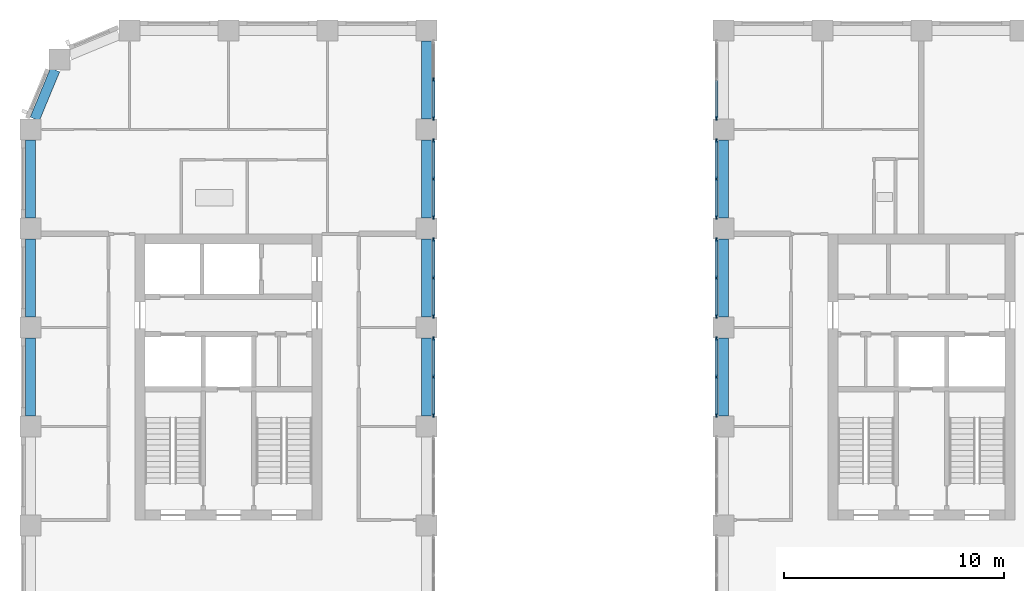
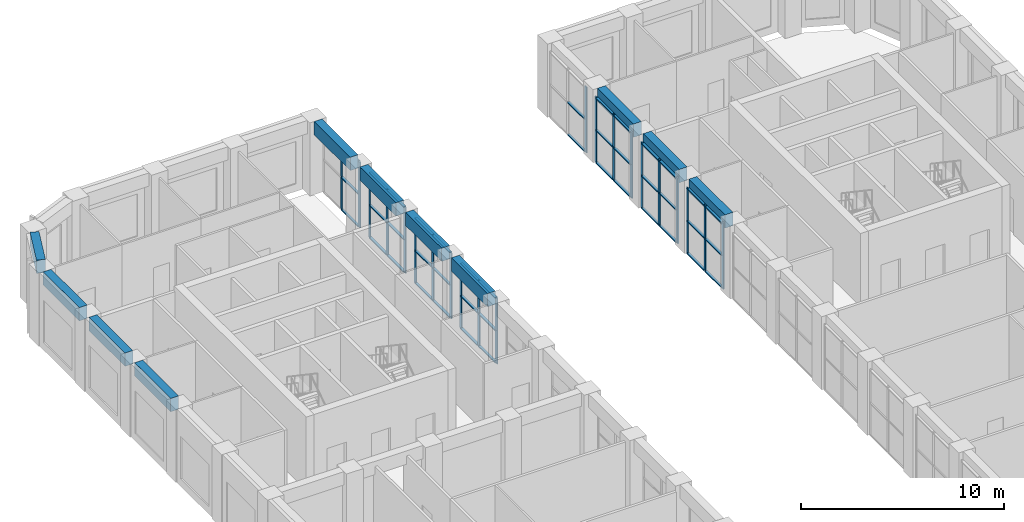
# One storey, part 5 of 19: 62 members, 11 beams, 8 elements without a shape of their own.
"""IFC4 building model written with IfcOpenShell, lengths in metres."""

import ifcopenshell
import ifcopenshell.guid

model = None  # the IFC model being written
_history = None  # IfcOwnerHistory: only IFC2X3 demands one
_inside = {}  # id of a spatial element -> (the spatial element, [elements in it])
_under = {}  # id of a project, library or spatial element -> (it, [spatial elements below it])
_declared = {}  # id of a project -> (the project, [libraries it declares])
_typed = {}  # id of a type object -> (the type object, [elements of that type])
_made_of = {}  # id of a material, layer set ... -> (it, [elements and type objects made of it])


def new_model(schema):
    """Start an empty IFC model of exactly this schema.

    Asked for "IFC4X3", IfcOpenShell would pick the latest addendum, in which some entities
    have other attributes; the version numbers below select the first issue.
    IFC2X3 requires an IfcOwnerHistory on every rooted entity: one is made here for all.
    """
    global model, _history
    if schema == "IFC4X3":
        model = ifcopenshell.file(schema_version=(4, 3, 0, 0))
    else:
        model = ifcopenshell.file(schema=schema)
    _inside.clear()
    _under.clear()
    _declared.clear()
    _typed.clear()
    _made_of.clear()
    _history = None
    if model.schema == "IFC2X3":
        org = make("IfcOrganization", Name="unknown")
        user = make(
            "IfcPersonAndOrganization",
            ThePerson=make("IfcPerson", FamilyName="unknown"),
            TheOrganization=org,
        )
        app = make(
            "IfcApplication",
            ApplicationDeveloper=org,
            Version="unknown",
            ApplicationFullName="unknown",
            ApplicationIdentifier="unknown",
        )
        _history = make(
            "IfcOwnerHistory",
            OwningUser=user,
            OwningApplication=app,
            ChangeAction="ADDED",
            CreationDate=0,
        )
    return model


def make(cls, **values):
    """One entity of the class cls with the attributes given. An attribute that is None is left unset."""
    return model.create_entity(
        cls, **{name: value for name, value in values.items() if value is not None}
    )


def rooted(cls, **values):
    """An entity with a GlobalId (a new one), such as an element, a storey or a relation."""
    return make(cls, GlobalId=ifcopenshell.guid.new(), OwnerHistory=_history, **values)


def si_unit(unit_type, name, prefix=None):
    """IfcSIUnit, for example si_unit("LENGTHUNIT", "METRE", prefix="MILLI")."""
    return make("IfcSIUnit", UnitType=unit_type, Prefix=prefix, Name=name)


def assignment(units):
    """IfcUnitAssignment: the units of a project."""
    return None if units is None else make("IfcUnitAssignment", Units=units)


def point(xyz):
    """IfcCartesianPoint."""
    return None if xyz is None else make("IfcCartesianPoint", Coordinates=xyz)


def direction(xyz):
    """IfcDirection."""
    return None if xyz is None else make("IfcDirection", DirectionRatios=xyz)


def frame(location, z_axis=None, x_axis=None):
    """IfcAxis2Placement3D, a coordinate frame: its origin and axes. An axis left out is left unset."""
    return make(
        "IfcAxis2Placement3D",
        Location=point(location),
        Axis=direction(z_axis),
        RefDirection=direction(x_axis),
    )


def frame_2d(location, x_axis=None):
    """IfcAxis2Placement2D, a coordinate frame in the plane: its origin and x axis."""
    return make(
        "IfcAxis2Placement2D", Location=point(location), RefDirection=direction(x_axis)
    )


def origin():
    """The frame at (0, 0, 0) with its axes left unset."""
    return frame((0.0, 0.0, 0.0))


def origin_2d():
    """The frame at (0, 0) in the plane with its x axis left unset."""
    return frame_2d((0.0, 0.0))


def place(relative_to, where):
    """IfcLocalPlacement: puts the frame where relative to a parent placement (None: the world)."""
    return make(
        "IfcLocalPlacement", PlacementRelTo=relative_to, RelativePlacement=where
    )


def context(
    kind, dimensions, precision=None, world=None, true_north=None, identifier=None
):
    """IfcGeometricRepresentationContext, for example the 3D "Model" context."""
    return make(
        "IfcGeometricRepresentationContext",
        ContextIdentifier=identifier,
        ContextType=kind,
        CoordinateSpaceDimension=dimensions,
        Precision=precision,
        WorldCoordinateSystem=world,
        TrueNorth=true_north,
    )


def subcontext(parent, identifier, kind, view, scale=None):
    """IfcGeometricRepresentationSubContext, for example "Body" below "Model"."""
    return make(
        "IfcGeometricRepresentationSubContext",
        ContextIdentifier=identifier,
        ContextType=kind,
        ParentContext=parent,
        TargetScale=scale,
        TargetView=view,
    )


def project(units=None, contexts=None):
    """IfcProject with its units and contexts."""
    return rooted(
        "IfcProject",
        Name="project",
        RepresentationContexts=contexts,
        UnitsInContext=assignment(units),
    )


def spatial(cls, under=None, at=None, **own):
    """A site, building, storey or space (cls), placed at a placement, below another one or the project."""
    s = rooted(cls, ObjectPlacement=at, **own)
    if under is not None:
        _under.setdefault(under.id(), (under, []))[1].append(s)
    return s


def profile(cls, at=None, kind="AREA", **sizes):
    """A parametric profile (cls). Its sizes go by their IFC names, for example OverallWidth=200.0."""
    return make(cls, ProfileType=kind, Position=at, **sizes)


def rectangle(**sizes):
    """IfcRectangleProfileDef."""
    return profile("IfcRectangleProfileDef", **sizes)


def extrude(swept, where, along, depth):
    """IfcExtrudedAreaSolid: the profile swept, set in the frame where, extruded along a direction by depth."""
    return make(
        "IfcExtrudedAreaSolid",
        SweptArea=swept,
        Position=where,
        ExtrudedDirection=direction(along),
        Depth=depth,
    )


def shape(context_of_items, identifier, shape_type, items):
    """IfcShapeRepresentation: the items that make up one representation, for example the "Body"."""
    return make(
        "IfcShapeRepresentation",
        ContextOfItems=context_of_items,
        RepresentationIdentifier=identifier,
        RepresentationType=shape_type,
        Items=items,
    )


def material(Name=None, Category=None):
    """IfcMaterial."""
    return make("IfcMaterial", Name=Name, Category=Category)


def material_profile(
    of_material, cross_section, Name=None, Category=None, Priority=None
):
    """IfcMaterialProfile: a cross section and its material."""
    return make(
        "IfcMaterialProfile",
        Name=Name,
        Material=of_material,
        Profile=cross_section,
        Priority=Priority,
        Category=Category,
    )


def profile_set(profiles, Name=None, composite=None):
    """IfcMaterialProfileSet."""
    return make(
        "IfcMaterialProfileSet",
        Name=Name,
        MaterialProfiles=profiles,
        CompositeProfile=composite,
    )


def made_of(thing, what):
    """Note that an element or type object is made of a material, layer set ...; save() writes the relation."""
    if what is not None:
        _made_of.setdefault(what.id(), (what, []))[1].append(thing)
    return thing


def type_object(cls, material=None, **own):
    """A type object (cls), such as IfcWallType, which elements share."""
    return made_of(rooted(cls, **own), material)


def element(
    cls,
    number,
    at=None,
    inside=None,
    cuts=None,
    type_object=None,
    material=None,
    context=None,
    identifier="Body",
    shape_type=None,
    held_by="IfcProductDefinitionShape",
    body=None,
    shapes=None,
    **own,
):
    """One element of the class cls, such as IfcWall. Its Tag is "e" and its number.

    at: its placement. inside: the storey or other place that contains it. cuts: it is an
    opening in that element (IfcRelVoidsElement). A single representation is given by context,
    identifier, shape_type and body (its items); several are given by shapes. held_by: the class
    of the entity that holds the representations. save() writes the other relations.
    """
    e = rooted(cls, Tag="e%d" % number, ObjectPlacement=at, **own)
    if body is not None:
        shapes = [shape(context, identifier, shape_type, body)]
    if shapes is not None:
        e.Representation = make(held_by, Representations=shapes)
    if inside is not None:
        _inside.setdefault(inside.id(), (inside, []))[1].append(e)
    if cuts is not None:
        rooted(
            "IfcRelVoidsElement", RelatingBuildingElement=cuts, RelatedOpeningElement=e
        )
    if type_object is not None:
        _typed.setdefault(type_object.id(), (type_object, []))[1].append(e)
    return made_of(e, material)


def aggregate(whole, parts):
    """IfcRelAggregates: a whole, such as a stair, and the parts it consists of."""
    return rooted("IfcRelAggregates", RelatingObject=whole, RelatedObjects=parts)


def save(model, path):
    """Write the relations noted so far, then the file.

    IfcRelAggregates (storeys below a building ...), IfcRelContainedInSpatialStructure (elements
    in a storey), IfcRelDefinesByType, IfcRelAssociatesMaterial and IfcRelDeclares: one each for
    every whole, place, type object, material and project.
    """
    for whole, parts in _under.values():
        aggregate(whole, parts)
    for where, things in _inside.values():
        rooted(
            "IfcRelContainedInSpatialStructure",
            RelatedElements=things,
            RelatingStructure=where,
        )
    for kind, things in _typed.values():
        rooted("IfcRelDefinesByType", RelatedObjects=things, RelatingType=kind)
    for what, things in _made_of.values():
        rooted("IfcRelAssociatesMaterial", RelatedObjects=things, RelatingMaterial=what)
    for by, libraries in _declared.values():
        rooted("IfcRelDeclares", RelatingContext=by, RelatedDefinitions=libraries)
    model.write(path)


model = new_model("IFC4")

# Units and contexts
model_context = context("Model", 3, precision=1e-05, world=origin(), true_north=direction((0.0, 1.0)))
body_context = subcontext(model_context, "Body", "Model", "MODEL_VIEW")
ifc_project = project(units=[si_unit("LENGTHUNIT", "METRE"), si_unit("AREAUNIT", "SQUARE_METRE"), si_unit("VOLUMEUNIT", "CUBIC_METRE"), si_unit("PLANEANGLEUNIT", "RADIAN"), si_unit("MASSUNIT", "GRAM", prefix="KILO")], contexts=[model_context])

# Site, building, storey
site_placement = place(None, origin())
site = spatial("IfcSite", under=ifc_project, at=site_placement, CompositionType="ELEMENT")
building_placement = place(site_placement, origin())
building = spatial("IfcBuilding", under=site, at=building_placement, Name="Girih Gate Residences", CompositionType="ELEMENT")
storey_placement = place(building_placement, frame((0.0, 0.0, 163.800048828125)))
storey = spatial("IfcBuildingStorey", under=building, at=storey_placement, Name="L45", CompositionType="ELEMENT", Elevation=163.800048828125)

# Curtain wall, members
ifc_material_1 = material(Name="Aluminium curtain wall frame", Category="aluminium")
curtain_wall_type = type_object("IfcCurtainWallType", Name="Curtain wall CW-7 portal lounge glazing", PredefinedType="NOTDEFINED", material=ifc_material_1)
curtain_wall_1_placement = place(storey_placement, origin())
curtain_wall_1 = element("IfcCurtainWall", 1, at=curtain_wall_1_placement, inside=storey, type_object=curtain_wall_type, Name="CW-7 Portal lounge glazing E0180_0000.7", PredefinedType="NOTDEFINED")
ifc_material_profile_1 = material_profile(ifc_material_1, rectangle(XDim=0.06005859375, YDim=0.179931640625, at=origin_2d()))
ifc_profile_set_1 = profile_set([ifc_material_profile_1], Name="Aluminium curtain wall frame")
member_type_1 = type_object("IfcMemberType", Name="Curtain wall mullion 60x180", PredefinedType="MULLION", material=ifc_profile_set_1)
member_1_placement = place(storey_placement, frame((18.31494140625, 32.0048828125, 0.0), z_axis=(0.0, 0.0, 1.0), x_axis=(-1.0, 0.0, 0.0)))
member_1 = element("IfcMember", 2, at=member_1_placement, type_object=member_type_1, Name="CW-7 mullion 1", PredefinedType="MULLION", context=body_context, shape_type="SweptSolid", body=[
    extrude(rectangle(XDim=0.06005859375, YDim=0.179931640625, at=origin_2d()), origin(), (0.0, 0.0, 1.0), 3.949951171875),
])
member_2_placement = place(storey_placement, frame((18.31494140625, 33.75, 0.0), z_axis=(0.0, 0.0, 1.0), x_axis=(-1.0, 0.0, 0.0)))
member_2 = element("IfcMember", 3, at=member_2_placement, type_object=member_type_1, Name="CW-7 mullion 2", PredefinedType="MULLION", context=body_context, shape_type="SweptSolid", body=[
    extrude(rectangle(XDim=0.06005859375, YDim=0.179931640625, at=origin_2d()), origin(), (0.0, 0.0, 1.0), 3.949951171875),
])
member_3_placement = place(storey_placement, frame((18.31494140625, 35.4951171875, 0.0), z_axis=(0.0, 0.0, 1.0), x_axis=(-1.0, 0.0, 0.0)))
member_3 = element("IfcMember", 4, at=member_3_placement, type_object=member_type_1, Name="CW-7 mullion 3", PredefinedType="MULLION", context=body_context, shape_type="SweptSolid", body=[
    extrude(rectangle(XDim=0.06005859375, YDim=0.179931640625, at=origin_2d()), origin(), (0.0, 0.0, 1.0), 3.949951171875),
])

curtain_wall_2_placement = place(storey_placement, origin())
curtain_wall_2 = element("IfcCurtainWall", 5, at=curtain_wall_2_placement, inside=storey, type_object=curtain_wall_type, Name="CW-7 Portal lounge glazing E0180_0000.8", PredefinedType="NOTDEFINED")
member_4_placement = place(storey_placement, frame((18.31494140625, 36.5048828125, 0.0), z_axis=(0.0, 0.0, 1.0), x_axis=(-1.0, 0.0, 0.0)))
member_4 = element("IfcMember", 6, at=member_4_placement, type_object=member_type_1, Name="CW-7 mullion 1", PredefinedType="MULLION", context=body_context, shape_type="SweptSolid", body=[
    extrude(rectangle(XDim=0.06005859375, YDim=0.179931640625, at=origin_2d()), origin(), (0.0, 0.0, 1.0), 3.949951171875),
])
member_5_placement = place(storey_placement, frame((18.31494140625, 38.25, 0.0), z_axis=(0.0, 0.0, 1.0), x_axis=(-1.0, 0.0, 0.0)))
member_5 = element("IfcMember", 7, at=member_5_placement, type_object=member_type_1, Name="CW-7 mullion 2", PredefinedType="MULLION", context=body_context, shape_type="SweptSolid", body=[
    extrude(rectangle(XDim=0.06005859375, YDim=0.179931640625, at=origin_2d()), origin(), (0.0, 0.0, 1.0), 3.949951171875),
])
member_6_placement = place(storey_placement, frame((18.31494140625, 39.9951171875, 0.0), z_axis=(0.0, 0.0, 1.0), x_axis=(-1.0, 0.0, 0.0)))
member_6 = element("IfcMember", 8, at=member_6_placement, type_object=member_type_1, Name="CW-7 mullion 3", PredefinedType="MULLION", context=body_context, shape_type="SweptSolid", body=[
    extrude(rectangle(XDim=0.06005859375, YDim=0.179931640625, at=origin_2d()), origin(), (0.0, 0.0, 1.0), 3.949951171875),
])

curtain_wall_3_placement = place(storey_placement, origin())
curtain_wall_3 = element("IfcCurtainWall", 9, at=curtain_wall_3_placement, inside=storey, type_object=curtain_wall_type, Name="CW-7 Portal lounge glazing E0180_0000.9", PredefinedType="NOTDEFINED")
member_7_placement = place(storey_placement, frame((18.31494140625, 41.0048828125, 0.0), z_axis=(0.0, 0.0, 1.0), x_axis=(-1.0, 0.0, 0.0)))
member_7 = element("IfcMember", 10, at=member_7_placement, type_object=member_type_1, Name="CW-7 mullion 1", PredefinedType="MULLION", context=body_context, shape_type="SweptSolid", body=[
    extrude(rectangle(XDim=0.06005859375, YDim=0.179931640625, at=origin_2d()), origin(), (0.0, 0.0, 1.0), 3.949951171875),
])
member_8_placement = place(storey_placement, frame((18.31494140625, 42.75, 0.0), z_axis=(0.0, 0.0, 1.0), x_axis=(-1.0, 0.0, 0.0)))
member_8 = element("IfcMember", 11, at=member_8_placement, type_object=member_type_1, Name="CW-7 mullion 2", PredefinedType="MULLION", context=body_context, shape_type="SweptSolid", body=[
    extrude(rectangle(XDim=0.06005859375, YDim=0.179931640625, at=origin_2d()), origin(), (0.0, 0.0, 1.0), 3.949951171875),
])
member_9_placement = place(storey_placement, frame((18.31494140625, 44.4951171875, 0.0), z_axis=(0.0, 0.0, 1.0), x_axis=(-1.0, 0.0, 0.0)))
member_9 = element("IfcMember", 12, at=member_9_placement, type_object=member_type_1, Name="CW-7 mullion 3", PredefinedType="MULLION", context=body_context, shape_type="SweptSolid", body=[
    extrude(rectangle(XDim=0.06005859375, YDim=0.179931640625, at=origin_2d()), origin(), (0.0, 0.0, 1.0), 3.949951171875),
])

curtain_wall_4_placement = place(storey_placement, origin())
curtain_wall_4 = element("IfcCurtainWall", 13, at=curtain_wall_4_placement, inside=storey, type_object=curtain_wall_type, Name="CW-7 Portal lounge glazing E0180_0000.10", PredefinedType="NOTDEFINED")
member_10_placement = place(storey_placement, frame((18.31494140625, 45.5048828125, 0.0), z_axis=(0.0, 0.0, 1.0), x_axis=(-1.0, 0.0, 0.0)))
member_10 = element("IfcMember", 14, at=member_10_placement, type_object=member_type_1, Name="CW-7 mullion 1", PredefinedType="MULLION", context=body_context, shape_type="SweptSolid", body=[
    extrude(rectangle(XDim=0.06005859375, YDim=0.179931640625, at=origin_2d()), origin(), (0.0, 0.0, 1.0), 3.949951171875),
])
member_11_placement = place(storey_placement, frame((18.31494140625, 47.25, 0.0), z_axis=(0.0, 0.0, 1.0), x_axis=(-1.0, 0.0, 0.0)))
member_11 = element("IfcMember", 15, at=member_11_placement, type_object=member_type_1, Name="CW-7 mullion 2", PredefinedType="MULLION", context=body_context, shape_type="SweptSolid", body=[
    extrude(rectangle(XDim=0.06005859375, YDim=0.179931640625, at=origin_2d()), origin(), (0.0, 0.0, 1.0), 3.949951171875),
])

# Curtain wall, member
curtain_wall_5_placement = place(storey_placement, origin())
curtain_wall_5 = element("IfcCurtainWall", 16, at=curtain_wall_5_placement, inside=storey, type_object=curtain_wall_type, Name="CW-7 Portal lounge glazing W0315_0495.0", PredefinedType="NOTDEFINED")
member_12_placement = place(storey_placement, frame((31.18505859375, 45.5048828125, 0.0), z_axis=(0.0, 0.0, 1.0), x_axis=(1.0, 0.0, 0.0)))
member_12 = element("IfcMember", 17, at=member_12_placement, type_object=member_type_1, Name="CW-7 mullion 3", PredefinedType="MULLION", context=body_context, shape_type="SweptSolid", body=[
    extrude(rectangle(XDim=0.06005859375, YDim=0.179931640625, at=origin_2d()), origin(), (0.0, 0.0, 1.0), 3.949951171875),
])

# Curtain wall, members
curtain_wall_6_placement = place(storey_placement, origin())
curtain_wall_6 = element("IfcCurtainWall", 18, at=curtain_wall_6_placement, inside=storey, type_object=curtain_wall_type, Name="CW-7 Portal lounge glazing W0315_0495.1", PredefinedType="NOTDEFINED")
member_13_placement = place(storey_placement, frame((31.18505859375, 44.4951171875, 0.0), z_axis=(0.0, 0.0, 1.0), x_axis=(1.0, 0.0, 0.0)))
member_13 = element("IfcMember", 19, at=member_13_placement, type_object=member_type_1, Name="CW-7 mullion 1", PredefinedType="MULLION", context=body_context, shape_type="SweptSolid", body=[
    extrude(rectangle(XDim=0.06005859375, YDim=0.179931640625, at=origin_2d()), origin(), (0.0, 0.0, 1.0), 3.949951171875),
])
member_14_placement = place(storey_placement, frame((31.18505859375, 42.75, 0.0), z_axis=(0.0, 0.0, 1.0), x_axis=(1.0, 0.0, 0.0)))
member_14 = element("IfcMember", 20, at=member_14_placement, type_object=member_type_1, Name="CW-7 mullion 2", PredefinedType="MULLION", context=body_context, shape_type="SweptSolid", body=[
    extrude(rectangle(XDim=0.06005859375, YDim=0.179931640625, at=origin_2d()), origin(), (0.0, 0.0, 1.0), 3.949951171875),
])
member_15_placement = place(storey_placement, frame((31.18505859375, 41.0048828125, 0.0), z_axis=(0.0, 0.0, 1.0), x_axis=(1.0, 0.0, 0.0)))
member_15 = element("IfcMember", 21, at=member_15_placement, type_object=member_type_1, Name="CW-7 mullion 3", PredefinedType="MULLION", context=body_context, shape_type="SweptSolid", body=[
    extrude(rectangle(XDim=0.06005859375, YDim=0.179931640625, at=origin_2d()), origin(), (0.0, 0.0, 1.0), 3.949951171875),
])

curtain_wall_7_placement = place(storey_placement, origin())
curtain_wall_7 = element("IfcCurtainWall", 22, at=curtain_wall_7_placement, inside=storey, type_object=curtain_wall_type, Name="CW-7 Portal lounge glazing W0315_0495.2", PredefinedType="NOTDEFINED")
member_16_placement = place(storey_placement, frame((31.18505859375, 39.9951171875, 0.0), z_axis=(0.0, 0.0, 1.0), x_axis=(1.0, 0.0, 0.0)))
member_16 = element("IfcMember", 23, at=member_16_placement, type_object=member_type_1, Name="CW-7 mullion 1", PredefinedType="MULLION", context=body_context, shape_type="SweptSolid", body=[
    extrude(rectangle(XDim=0.06005859375, YDim=0.179931640625, at=origin_2d()), origin(), (0.0, 0.0, 1.0), 3.949951171875),
])
member_17_placement = place(storey_placement, frame((31.18505859375, 38.25, 0.0), z_axis=(0.0, 0.0, 1.0), x_axis=(1.0, 0.0, 0.0)))
member_17 = element("IfcMember", 24, at=member_17_placement, type_object=member_type_1, Name="CW-7 mullion 2", PredefinedType="MULLION", context=body_context, shape_type="SweptSolid", body=[
    extrude(rectangle(XDim=0.06005859375, YDim=0.179931640625, at=origin_2d()), origin(), (0.0, 0.0, 1.0), 3.949951171875),
])
member_18_placement = place(storey_placement, frame((31.18505859375, 36.5048828125, 0.0), z_axis=(0.0, 0.0, 1.0), x_axis=(1.0, 0.0, 0.0)))
member_18 = element("IfcMember", 25, at=member_18_placement, type_object=member_type_1, Name="CW-7 mullion 3", PredefinedType="MULLION", context=body_context, shape_type="SweptSolid", body=[
    extrude(rectangle(XDim=0.06005859375, YDim=0.179931640625, at=origin_2d()), origin(), (0.0, 0.0, 1.0), 3.949951171875),
])

curtain_wall_8_placement = place(storey_placement, origin())
curtain_wall_8 = element("IfcCurtainWall", 26, at=curtain_wall_8_placement, inside=storey, type_object=curtain_wall_type, Name="CW-7 Portal lounge glazing W0315_0495.3", PredefinedType="NOTDEFINED")
member_19_placement = place(storey_placement, frame((31.18505859375, 35.4951171875, 0.0), z_axis=(0.0, 0.0, 1.0), x_axis=(1.0, 0.0, 0.0)))
member_19 = element("IfcMember", 27, at=member_19_placement, type_object=member_type_1, Name="CW-7 mullion 1", PredefinedType="MULLION", context=body_context, shape_type="SweptSolid", body=[
    extrude(rectangle(XDim=0.06005859375, YDim=0.179931640625, at=origin_2d()), origin(), (0.0, 0.0, 1.0), 3.949951171875),
])
member_20_placement = place(storey_placement, frame((31.18505859375, 33.75, 0.0), z_axis=(0.0, 0.0, 1.0), x_axis=(1.0, 0.0, 0.0)))
member_20 = element("IfcMember", 28, at=member_20_placement, type_object=member_type_1, Name="CW-7 mullion 2", PredefinedType="MULLION", context=body_context, shape_type="SweptSolid", body=[
    extrude(rectangle(XDim=0.06005859375, YDim=0.179931640625, at=origin_2d()), origin(), (0.0, 0.0, 1.0), 3.949951171875),
])
member_21_placement = place(storey_placement, frame((31.18505859375, 32.0048828125, 0.0), z_axis=(0.0, 0.0, 1.0), x_axis=(1.0, 0.0, 0.0)))
member_21 = element("IfcMember", 29, at=member_21_placement, type_object=member_type_1, Name="CW-7 mullion 3", PredefinedType="MULLION", context=body_context, shape_type="SweptSolid", body=[
    extrude(rectangle(XDim=0.06005859375, YDim=0.179931640625, at=origin_2d()), origin(), (0.0, 0.0, 1.0), 3.949951171875),
])

# Member
ifc_material_profile_2 = material_profile(ifc_material_1, rectangle(XDim=0.139892578125, YDim=0.06005859375, at=origin_2d()))
ifc_profile_set_2 = profile_set([ifc_material_profile_2], Name="Aluminium curtain wall frame")
member_type_2 = type_object("IfcMemberType", Name="Curtain wall transom 60x140", PredefinedType="USERDEFINED", material=ifc_profile_set_2)
member_22_placement = place(storey_placement, frame((18.31494140625, 32.034912109375, 0.030029296875), z_axis=(0.0, 1.0, 0.0), x_axis=(-1.0, 0.0, 0.0)))
member_22 = element("IfcMember", 30, at=member_22_placement, type_object=member_type_2, Name="CW-7 transom 1.1", ObjectType="TRANSOM", PredefinedType="USERDEFINED", context=body_context, shape_type="SweptSolid", body=[
    extrude(rectangle(XDim=0.139892578125, YDim=0.06005859375, at=origin_2d()), origin(), (0.0, 0.0, 1.0), 1.68505859375),
])

member_23_placement = place(storey_placement, frame((18.31494140625, 32.034912109375, 1.974853515625), z_axis=(0.0, 1.0, 0.0), x_axis=(-1.0, 0.0, 0.0)))
member_23 = element("IfcMember", 31, at=member_23_placement, type_object=member_type_2, Name="CW-7 transom 1.2", ObjectType="TRANSOM", PredefinedType="USERDEFINED", context=body_context, shape_type="SweptSolid", body=[
    extrude(rectangle(XDim=0.139892578125, YDim=0.06005859375, at=origin_2d()), origin(), (0.0, 0.0, 1.0), 1.68505859375),
])

member_24_placement = place(storey_placement, frame((18.31494140625, 32.034912109375, 3.919921875), z_axis=(0.0, 1.0, 0.0), x_axis=(-1.0, 0.0, 0.0)))
member_24 = element("IfcMember", 32, at=member_24_placement, type_object=member_type_2, Name="CW-7 transom 1.3", ObjectType="TRANSOM", PredefinedType="USERDEFINED", context=body_context, shape_type="SweptSolid", body=[
    extrude(rectangle(XDim=0.139892578125, YDim=0.06005859375, at=origin_2d()), origin(), (0.0, 0.0, 1.0), 1.68505859375),
])

member_25_placement = place(storey_placement, frame((18.31494140625, 33.780029296875, 0.030029296875), z_axis=(0.0, 1.0, 0.0), x_axis=(-1.0, 0.0, 0.0)))
member_25 = element("IfcMember", 33, at=member_25_placement, type_object=member_type_2, Name="CW-7 transom 2.1", ObjectType="TRANSOM", PredefinedType="USERDEFINED", context=body_context, shape_type="SweptSolid", body=[
    extrude(rectangle(XDim=0.139892578125, YDim=0.06005859375, at=origin_2d()), origin(), (0.0, 0.0, 1.0), 1.68505859375),
])

member_26_placement = place(storey_placement, frame((18.31494140625, 33.780029296875, 1.974853515625), z_axis=(0.0, 1.0, 0.0), x_axis=(-1.0, 0.0, 0.0)))
member_26 = element("IfcMember", 34, at=member_26_placement, type_object=member_type_2, Name="CW-7 transom 2.2", ObjectType="TRANSOM", PredefinedType="USERDEFINED", context=body_context, shape_type="SweptSolid", body=[
    extrude(rectangle(XDim=0.139892578125, YDim=0.06005859375, at=origin_2d()), origin(), (0.0, 0.0, 1.0), 1.68505859375),
])

member_27_placement = place(storey_placement, frame((18.31494140625, 33.780029296875, 3.919921875), z_axis=(0.0, 1.0, 0.0), x_axis=(-1.0, 0.0, 0.0)))
member_27 = element("IfcMember", 35, at=member_27_placement, type_object=member_type_2, Name="CW-7 transom 2.3", ObjectType="TRANSOM", PredefinedType="USERDEFINED", context=body_context, shape_type="SweptSolid", body=[
    extrude(rectangle(XDim=0.139892578125, YDim=0.06005859375, at=origin_2d()), origin(), (0.0, 0.0, 1.0), 1.68505859375),
])

aggregate(curtain_wall_1, [member_1, member_2, member_3, member_22, member_23, member_24, member_25, member_26, member_27])

member_28_placement = place(storey_placement, frame((18.31494140625, 36.534912109375, 0.030029296875), z_axis=(0.0, 1.0, 0.0), x_axis=(-1.0, 0.0, 0.0)))
member_28 = element("IfcMember", 36, at=member_28_placement, type_object=member_type_2, Name="CW-7 transom 1.1", ObjectType="TRANSOM", PredefinedType="USERDEFINED", context=body_context, shape_type="SweptSolid", body=[
    extrude(rectangle(XDim=0.139892578125, YDim=0.06005859375, at=origin_2d()), origin(), (0.0, 0.0, 1.0), 1.68505859375),
])

member_29_placement = place(storey_placement, frame((18.31494140625, 36.534912109375, 1.974853515625), z_axis=(0.0, 1.0, 0.0), x_axis=(-1.0, 0.0, 0.0)))
member_29 = element("IfcMember", 37, at=member_29_placement, type_object=member_type_2, Name="CW-7 transom 1.2", ObjectType="TRANSOM", PredefinedType="USERDEFINED", context=body_context, shape_type="SweptSolid", body=[
    extrude(rectangle(XDim=0.139892578125, YDim=0.06005859375, at=origin_2d()), origin(), (0.0, 0.0, 1.0), 1.68505859375),
])

member_30_placement = place(storey_placement, frame((18.31494140625, 36.534912109375, 3.919921875), z_axis=(0.0, 1.0, 0.0), x_axis=(-1.0, 0.0, 0.0)))
member_30 = element("IfcMember", 38, at=member_30_placement, type_object=member_type_2, Name="CW-7 transom 1.3", ObjectType="TRANSOM", PredefinedType="USERDEFINED", context=body_context, shape_type="SweptSolid", body=[
    extrude(rectangle(XDim=0.139892578125, YDim=0.06005859375, at=origin_2d()), origin(), (0.0, 0.0, 1.0), 1.68505859375),
])

member_31_placement = place(storey_placement, frame((18.31494140625, 38.280029296875, 0.030029296875), z_axis=(0.0, 1.0, 0.0), x_axis=(-1.0, 0.0, 0.0)))
member_31 = element("IfcMember", 39, at=member_31_placement, type_object=member_type_2, Name="CW-7 transom 2.1", ObjectType="TRANSOM", PredefinedType="USERDEFINED", context=body_context, shape_type="SweptSolid", body=[
    extrude(rectangle(XDim=0.139892578125, YDim=0.06005859375, at=origin_2d()), origin(), (0.0, 0.0, 1.0), 1.68505859375),
])

member_32_placement = place(storey_placement, frame((18.31494140625, 38.280029296875, 1.974853515625), z_axis=(0.0, 1.0, 0.0), x_axis=(-1.0, 0.0, 0.0)))
member_32 = element("IfcMember", 40, at=member_32_placement, type_object=member_type_2, Name="CW-7 transom 2.2", ObjectType="TRANSOM", PredefinedType="USERDEFINED", context=body_context, shape_type="SweptSolid", body=[
    extrude(rectangle(XDim=0.139892578125, YDim=0.06005859375, at=origin_2d()), origin(), (0.0, 0.0, 1.0), 1.68505859375),
])

member_33_placement = place(storey_placement, frame((18.31494140625, 38.280029296875, 3.919921875), z_axis=(0.0, 1.0, 0.0), x_axis=(-1.0, 0.0, 0.0)))
member_33 = element("IfcMember", 41, at=member_33_placement, type_object=member_type_2, Name="CW-7 transom 2.3", ObjectType="TRANSOM", PredefinedType="USERDEFINED", context=body_context, shape_type="SweptSolid", body=[
    extrude(rectangle(XDim=0.139892578125, YDim=0.06005859375, at=origin_2d()), origin(), (0.0, 0.0, 1.0), 1.68505859375),
])

aggregate(curtain_wall_2, [member_4, member_5, member_6, member_28, member_29, member_30, member_31, member_32, member_33])

member_34_placement = place(storey_placement, frame((18.31494140625, 41.034912109375, 0.030029296875), z_axis=(0.0, 1.0, 0.0), x_axis=(-1.0, 0.0, 0.0)))
member_34 = element("IfcMember", 42, at=member_34_placement, type_object=member_type_2, Name="CW-7 transom 1.1", ObjectType="TRANSOM", PredefinedType="USERDEFINED", context=body_context, shape_type="SweptSolid", body=[
    extrude(rectangle(XDim=0.139892578125, YDim=0.06005859375, at=origin_2d()), origin(), (0.0, 0.0, 1.0), 1.68505859375),
])

member_35_placement = place(storey_placement, frame((18.31494140625, 41.034912109375, 1.974853515625), z_axis=(0.0, 1.0, 0.0), x_axis=(-1.0, 0.0, 0.0)))
member_35 = element("IfcMember", 43, at=member_35_placement, type_object=member_type_2, Name="CW-7 transom 1.2", ObjectType="TRANSOM", PredefinedType="USERDEFINED", context=body_context, shape_type="SweptSolid", body=[
    extrude(rectangle(XDim=0.139892578125, YDim=0.06005859375, at=origin_2d()), origin(), (0.0, 0.0, 1.0), 1.68505859375),
])

member_36_placement = place(storey_placement, frame((18.31494140625, 41.034912109375, 3.919921875), z_axis=(0.0, 1.0, 0.0), x_axis=(-1.0, 0.0, 0.0)))
member_36 = element("IfcMember", 44, at=member_36_placement, type_object=member_type_2, Name="CW-7 transom 1.3", ObjectType="TRANSOM", PredefinedType="USERDEFINED", context=body_context, shape_type="SweptSolid", body=[
    extrude(rectangle(XDim=0.139892578125, YDim=0.06005859375, at=origin_2d()), origin(), (0.0, 0.0, 1.0), 1.68505859375),
])

member_37_placement = place(storey_placement, frame((18.31494140625, 42.780029296875, 0.030029296875), z_axis=(0.0, 1.0, 0.0), x_axis=(-1.0, 0.0, 0.0)))
member_37 = element("IfcMember", 45, at=member_37_placement, type_object=member_type_2, Name="CW-7 transom 2.1", ObjectType="TRANSOM", PredefinedType="USERDEFINED", context=body_context, shape_type="SweptSolid", body=[
    extrude(rectangle(XDim=0.139892578125, YDim=0.06005859375, at=origin_2d()), origin(), (0.0, 0.0, 1.0), 1.68505859375),
])

member_38_placement = place(storey_placement, frame((18.31494140625, 42.780029296875, 1.974853515625), z_axis=(0.0, 1.0, 0.0), x_axis=(-1.0, 0.0, 0.0)))
member_38 = element("IfcMember", 46, at=member_38_placement, type_object=member_type_2, Name="CW-7 transom 2.2", ObjectType="TRANSOM", PredefinedType="USERDEFINED", context=body_context, shape_type="SweptSolid", body=[
    extrude(rectangle(XDim=0.139892578125, YDim=0.06005859375, at=origin_2d()), origin(), (0.0, 0.0, 1.0), 1.68505859375),
])

member_39_placement = place(storey_placement, frame((18.31494140625, 42.780029296875, 3.919921875), z_axis=(0.0, 1.0, 0.0), x_axis=(-1.0, 0.0, 0.0)))
member_39 = element("IfcMember", 47, at=member_39_placement, type_object=member_type_2, Name="CW-7 transom 2.3", ObjectType="TRANSOM", PredefinedType="USERDEFINED", context=body_context, shape_type="SweptSolid", body=[
    extrude(rectangle(XDim=0.139892578125, YDim=0.06005859375, at=origin_2d()), origin(), (0.0, 0.0, 1.0), 1.68505859375),
])

aggregate(curtain_wall_3, [member_7, member_8, member_9, member_34, member_35, member_36, member_37, member_38, member_39])

member_40_placement = place(storey_placement, frame((18.31494140625, 45.534912109375, 0.030029296875), z_axis=(0.0, 1.0, 0.0), x_axis=(-1.0, 0.0, 0.0)))
member_40 = element("IfcMember", 48, at=member_40_placement, type_object=member_type_2, Name="CW-7 transom 1.1", ObjectType="TRANSOM", PredefinedType="USERDEFINED", context=body_context, shape_type="SweptSolid", body=[
    extrude(rectangle(XDim=0.139892578125, YDim=0.06005859375, at=origin_2d()), origin(), (0.0, 0.0, 1.0), 1.68505859375),
])

member_41_placement = place(storey_placement, frame((18.31494140625, 45.534912109375, 1.974853515625), z_axis=(0.0, 1.0, 0.0), x_axis=(-1.0, 0.0, 0.0)))
member_41 = element("IfcMember", 49, at=member_41_placement, type_object=member_type_2, Name="CW-7 transom 1.2", ObjectType="TRANSOM", PredefinedType="USERDEFINED", context=body_context, shape_type="SweptSolid", body=[
    extrude(rectangle(XDim=0.139892578125, YDim=0.06005859375, at=origin_2d()), origin(), (0.0, 0.0, 1.0), 1.68505859375),
])

member_42_placement = place(storey_placement, frame((18.31494140625, 45.534912109375, 3.919921875), z_axis=(0.0, 1.0, 0.0), x_axis=(-1.0, 0.0, 0.0)))
member_42 = element("IfcMember", 50, at=member_42_placement, type_object=member_type_2, Name="CW-7 transom 1.3", ObjectType="TRANSOM", PredefinedType="USERDEFINED", context=body_context, shape_type="SweptSolid", body=[
    extrude(rectangle(XDim=0.139892578125, YDim=0.06005859375, at=origin_2d()), origin(), (0.0, 0.0, 1.0), 1.68505859375),
])

aggregate(curtain_wall_4, [member_10, member_11, member_40, member_41, member_42])

member_43_placement = place(storey_placement, frame((31.18505859375, 47.219970703125, 0.030029296875), z_axis=(0.0, -1.0, 0.0), x_axis=(1.0, 0.0, 0.0)))
member_43 = element("IfcMember", 51, at=member_43_placement, type_object=member_type_2, Name="CW-7 transom 2.1", ObjectType="TRANSOM", PredefinedType="USERDEFINED", context=body_context, shape_type="SweptSolid", body=[
    extrude(rectangle(XDim=0.139892578125, YDim=0.06005859375, at=origin_2d()), origin(), (0.0, 0.0, 1.0), 1.68505859375),
])

member_44_placement = place(storey_placement, frame((31.18505859375, 47.219970703125, 1.974853515625), z_axis=(0.0, -1.0, 0.0), x_axis=(1.0, 0.0, 0.0)))
member_44 = element("IfcMember", 52, at=member_44_placement, type_object=member_type_2, Name="CW-7 transom 2.2", ObjectType="TRANSOM", PredefinedType="USERDEFINED", context=body_context, shape_type="SweptSolid", body=[
    extrude(rectangle(XDim=0.139892578125, YDim=0.06005859375, at=origin_2d()), origin(), (0.0, 0.0, 1.0), 1.68505859375),
])

aggregate(curtain_wall_5, [member_12, member_43, member_44])

member_45_placement = place(storey_placement, frame((31.18505859375, 44.465087890625, 0.030029296875), z_axis=(0.0, -1.0, 0.0), x_axis=(1.0, 0.0, 0.0)))
member_45 = element("IfcMember", 53, at=member_45_placement, type_object=member_type_2, Name="CW-7 transom 1.1", ObjectType="TRANSOM", PredefinedType="USERDEFINED", context=body_context, shape_type="SweptSolid", body=[
    extrude(rectangle(XDim=0.139892578125, YDim=0.06005859375, at=origin_2d()), origin(), (0.0, 0.0, 1.0), 1.68505859375),
])

member_46_placement = place(storey_placement, frame((31.18505859375, 44.465087890625, 1.974853515625), z_axis=(0.0, -1.0, 0.0), x_axis=(1.0, 0.0, 0.0)))
member_46 = element("IfcMember", 54, at=member_46_placement, type_object=member_type_2, Name="CW-7 transom 1.2", ObjectType="TRANSOM", PredefinedType="USERDEFINED", context=body_context, shape_type="SweptSolid", body=[
    extrude(rectangle(XDim=0.139892578125, YDim=0.06005859375, at=origin_2d()), origin(), (0.0, 0.0, 1.0), 1.68505859375),
])

member_47_placement = place(storey_placement, frame((31.18505859375, 44.465087890625, 3.919921875), z_axis=(0.0, -1.0, 0.0), x_axis=(1.0, 0.0, 0.0)))
member_47 = element("IfcMember", 55, at=member_47_placement, type_object=member_type_2, Name="CW-7 transom 1.3", ObjectType="TRANSOM", PredefinedType="USERDEFINED", context=body_context, shape_type="SweptSolid", body=[
    extrude(rectangle(XDim=0.139892578125, YDim=0.06005859375, at=origin_2d()), origin(), (0.0, 0.0, 1.0), 1.68505859375),
])

member_48_placement = place(storey_placement, frame((31.18505859375, 42.719970703125, 0.030029296875), z_axis=(0.0, -1.0, 0.0), x_axis=(1.0, 0.0, 0.0)))
member_48 = element("IfcMember", 56, at=member_48_placement, type_object=member_type_2, Name="CW-7 transom 2.1", ObjectType="TRANSOM", PredefinedType="USERDEFINED", context=body_context, shape_type="SweptSolid", body=[
    extrude(rectangle(XDim=0.139892578125, YDim=0.06005859375, at=origin_2d()), origin(), (0.0, 0.0, 1.0), 1.68505859375),
])

member_49_placement = place(storey_placement, frame((31.18505859375, 42.719970703125, 1.974853515625), z_axis=(0.0, -1.0, 0.0), x_axis=(1.0, 0.0, 0.0)))
member_49 = element("IfcMember", 57, at=member_49_placement, type_object=member_type_2, Name="CW-7 transom 2.2", ObjectType="TRANSOM", PredefinedType="USERDEFINED", context=body_context, shape_type="SweptSolid", body=[
    extrude(rectangle(XDim=0.139892578125, YDim=0.06005859375, at=origin_2d()), origin(), (0.0, 0.0, 1.0), 1.68505859375),
])

member_50_placement = place(storey_placement, frame((31.18505859375, 42.719970703125, 3.919921875), z_axis=(0.0, -1.0, 0.0), x_axis=(1.0, 0.0, 0.0)))
member_50 = element("IfcMember", 58, at=member_50_placement, type_object=member_type_2, Name="CW-7 transom 2.3", ObjectType="TRANSOM", PredefinedType="USERDEFINED", context=body_context, shape_type="SweptSolid", body=[
    extrude(rectangle(XDim=0.139892578125, YDim=0.06005859375, at=origin_2d()), origin(), (0.0, 0.0, 1.0), 1.68505859375),
])

aggregate(curtain_wall_6, [member_13, member_14, member_15, member_45, member_46, member_47, member_48, member_49, member_50])

member_51_placement = place(storey_placement, frame((31.18505859375, 39.965087890625, 0.030029296875), z_axis=(0.0, -1.0, 0.0), x_axis=(1.0, 0.0, 0.0)))
member_51 = element("IfcMember", 59, at=member_51_placement, type_object=member_type_2, Name="CW-7 transom 1.1", ObjectType="TRANSOM", PredefinedType="USERDEFINED", context=body_context, shape_type="SweptSolid", body=[
    extrude(rectangle(XDim=0.139892578125, YDim=0.06005859375, at=origin_2d()), origin(), (0.0, 0.0, 1.0), 1.68505859375),
])

member_52_placement = place(storey_placement, frame((31.18505859375, 39.965087890625, 1.974853515625), z_axis=(0.0, -1.0, 0.0), x_axis=(1.0, 0.0, 0.0)))
member_52 = element("IfcMember", 60, at=member_52_placement, type_object=member_type_2, Name="CW-7 transom 1.2", ObjectType="TRANSOM", PredefinedType="USERDEFINED", context=body_context, shape_type="SweptSolid", body=[
    extrude(rectangle(XDim=0.139892578125, YDim=0.06005859375, at=origin_2d()), origin(), (0.0, 0.0, 1.0), 1.68505859375),
])

member_53_placement = place(storey_placement, frame((31.18505859375, 39.965087890625, 3.919921875), z_axis=(0.0, -1.0, 0.0), x_axis=(1.0, 0.0, 0.0)))
member_53 = element("IfcMember", 61, at=member_53_placement, type_object=member_type_2, Name="CW-7 transom 1.3", ObjectType="TRANSOM", PredefinedType="USERDEFINED", context=body_context, shape_type="SweptSolid", body=[
    extrude(rectangle(XDim=0.139892578125, YDim=0.06005859375, at=origin_2d()), origin(), (0.0, 0.0, 1.0), 1.68505859375),
])

member_54_placement = place(storey_placement, frame((31.18505859375, 38.219970703125, 0.030029296875), z_axis=(0.0, -1.0, 0.0), x_axis=(1.0, 0.0, 0.0)))
member_54 = element("IfcMember", 62, at=member_54_placement, type_object=member_type_2, Name="CW-7 transom 2.1", ObjectType="TRANSOM", PredefinedType="USERDEFINED", context=body_context, shape_type="SweptSolid", body=[
    extrude(rectangle(XDim=0.139892578125, YDim=0.06005859375, at=origin_2d()), origin(), (0.0, 0.0, 1.0), 1.68505859375),
])

member_55_placement = place(storey_placement, frame((31.18505859375, 38.219970703125, 1.974853515625), z_axis=(0.0, -1.0, 0.0), x_axis=(1.0, 0.0, 0.0)))
member_55 = element("IfcMember", 63, at=member_55_placement, type_object=member_type_2, Name="CW-7 transom 2.2", ObjectType="TRANSOM", PredefinedType="USERDEFINED", context=body_context, shape_type="SweptSolid", body=[
    extrude(rectangle(XDim=0.139892578125, YDim=0.06005859375, at=origin_2d()), origin(), (0.0, 0.0, 1.0), 1.68505859375),
])

member_56_placement = place(storey_placement, frame((31.18505859375, 38.219970703125, 3.919921875), z_axis=(0.0, -1.0, 0.0), x_axis=(1.0, 0.0, 0.0)))
member_56 = element("IfcMember", 64, at=member_56_placement, type_object=member_type_2, Name="CW-7 transom 2.3", ObjectType="TRANSOM", PredefinedType="USERDEFINED", context=body_context, shape_type="SweptSolid", body=[
    extrude(rectangle(XDim=0.139892578125, YDim=0.06005859375, at=origin_2d()), origin(), (0.0, 0.0, 1.0), 1.68505859375),
])

aggregate(curtain_wall_7, [member_16, member_17, member_18, member_51, member_52, member_53, member_54, member_55, member_56])

member_57_placement = place(storey_placement, frame((31.18505859375, 35.465087890625, 0.030029296875), z_axis=(0.0, -1.0, 0.0), x_axis=(1.0, 0.0, 0.0)))
member_57 = element("IfcMember", 65, at=member_57_placement, type_object=member_type_2, Name="CW-7 transom 1.1", ObjectType="TRANSOM", PredefinedType="USERDEFINED", context=body_context, shape_type="SweptSolid", body=[
    extrude(rectangle(XDim=0.139892578125, YDim=0.06005859375, at=origin_2d()), origin(), (0.0, 0.0, 1.0), 1.68505859375),
])

member_58_placement = place(storey_placement, frame((31.18505859375, 35.465087890625, 1.974853515625), z_axis=(0.0, -1.0, 0.0), x_axis=(1.0, 0.0, 0.0)))
member_58 = element("IfcMember", 66, at=member_58_placement, type_object=member_type_2, Name="CW-7 transom 1.2", ObjectType="TRANSOM", PredefinedType="USERDEFINED", context=body_context, shape_type="SweptSolid", body=[
    extrude(rectangle(XDim=0.139892578125, YDim=0.06005859375, at=origin_2d()), origin(), (0.0, 0.0, 1.0), 1.68505859375),
])

member_59_placement = place(storey_placement, frame((31.18505859375, 35.465087890625, 3.919921875), z_axis=(0.0, -1.0, 0.0), x_axis=(1.0, 0.0, 0.0)))
member_59 = element("IfcMember", 67, at=member_59_placement, type_object=member_type_2, Name="CW-7 transom 1.3", ObjectType="TRANSOM", PredefinedType="USERDEFINED", context=body_context, shape_type="SweptSolid", body=[
    extrude(rectangle(XDim=0.139892578125, YDim=0.06005859375, at=origin_2d()), origin(), (0.0, 0.0, 1.0), 1.68505859375),
])

member_60_placement = place(storey_placement, frame((31.18505859375, 33.719970703125, 0.030029296875), z_axis=(0.0, -1.0, 0.0), x_axis=(1.0, 0.0, 0.0)))
member_60 = element("IfcMember", 68, at=member_60_placement, type_object=member_type_2, Name="CW-7 transom 2.1", ObjectType="TRANSOM", PredefinedType="USERDEFINED", context=body_context, shape_type="SweptSolid", body=[
    extrude(rectangle(XDim=0.139892578125, YDim=0.06005859375, at=origin_2d()), origin(), (0.0, 0.0, 1.0), 1.68505859375),
])

member_61_placement = place(storey_placement, frame((31.18505859375, 33.719970703125, 1.974853515625), z_axis=(0.0, -1.0, 0.0), x_axis=(1.0, 0.0, 0.0)))
member_61 = element("IfcMember", 69, at=member_61_placement, type_object=member_type_2, Name="CW-7 transom 2.2", ObjectType="TRANSOM", PredefinedType="USERDEFINED", context=body_context, shape_type="SweptSolid", body=[
    extrude(rectangle(XDim=0.139892578125, YDim=0.06005859375, at=origin_2d()), origin(), (0.0, 0.0, 1.0), 1.68505859375),
])

member_62_placement = place(storey_placement, frame((31.18505859375, 33.719970703125, 3.919921875), z_axis=(0.0, -1.0, 0.0), x_axis=(1.0, 0.0, 0.0)))
member_62 = element("IfcMember", 70, at=member_62_placement, type_object=member_type_2, Name="CW-7 transom 2.3", ObjectType="TRANSOM", PredefinedType="USERDEFINED", context=body_context, shape_type="SweptSolid", body=[
    extrude(rectangle(XDim=0.139892578125, YDim=0.06005859375, at=origin_2d()), origin(), (0.0, 0.0, 1.0), 1.68505859375),
])

aggregate(curtain_wall_8, [member_19, member_20, member_21, member_57, member_58, member_59, member_60, member_61, member_62])

# Beams
ifc_material_2 = material(Name="Concrete C60/75", Category="concrete")
ifc_material_profile_3 = material_profile(ifc_material_2, rectangle(XDim=0.449951171875, YDim=0.800048828125, at=origin_2d()))
ifc_profile_set_3 = profile_set([ifc_material_profile_3], Name="Concrete C60/75")
beam_type = type_object("IfcBeamType", Name="Spandrel girder RC 450x800 Concrete C60/75", PredefinedType="BEAM", material=ifc_profile_set_3)
beam_placement = place(storey_placement, frame((1.121337890625, 47.70703125, 4.0), z_axis=(-0.382705825988, -0.923870256451, 0.0), x_axis=(0.923870256451, -0.382705825988, 0.0)))
element("IfcBeam", 71, at=beam_placement, inside=storey, type_object=beam_type, Name="Spandrel girder SP-P1LSE-P1K L45", PredefinedType="BEAM", context=body_context, shape_type="SweptSolid", body=[
    extrude(rectangle(XDim=0.449951171875, YDim=0.800048828125, at=origin_2d()), origin(), (0.0, 0.0, 1.0), 2.415771484375),
])
for number, where, z_axis, x_axis, name in (
    (72, (0.0, 44.52490234375, 4.0), (0.0, -1.0, 0.0), (1.0, 0.0, 0.0), "Spandrel girder SP-P1K-P1J L45"),
    (73, (0.0, 40.02490234375, 4.0), (0.0, -1.0, 0.0), (1.0, 0.0, 0.0), "Spandrel girder SP-P1J-P1I L45"),
    (74, (0.0, 35.52490234375, 4.0), (0.0, -1.0, 0.0), (1.0, 0.0, 0.0), "Spandrel girder SP-P1I-P1H L45"),
    (75, (18.0, 31.97509765625, 4.0), (0.0, 1.0, 0.0), (-1.0, 0.0, 0.0), "Spandrel girder SP-P5H-P5I L45"),
    (76, (18.0, 36.47509765625, 4.0), (0.0, 1.0, 0.0), (-1.0, 0.0, 0.0), "Spandrel girder SP-P5I-P5J L45"),
    (77, (18.0, 40.97509765625, 4.0), (0.0, 1.0, 0.0), (-1.0, 0.0, 0.0), "Spandrel girder SP-P5J-P5K L45"),
    (78, (18.0, 45.47509765625, 4.0), (0.0, 1.0, 0.0), (-1.0, 0.0, 0.0), "Spandrel girder SP-P5K-P5L L45"),
    (79, (31.5, 44.52490234375, 4.0), (0.0, -1.0, 0.0), (1.0, 0.0, 0.0), "Spandrel girder SP-P8K-P8J L45"),
    (80, (31.5, 40.02490234375, 4.0), (0.0, -1.0, 0.0), (1.0, 0.0, 0.0), "Spandrel girder SP-P8J-P8I L45"),
    (81, (31.5, 35.52490234375, 4.0), (0.0, -1.0, 0.0), (1.0, 0.0, 0.0), "Spandrel girder SP-P8I-P8H L45"),
):
    element("IfcBeam", number, at=place(storey_placement, frame(where, z_axis=z_axis, x_axis=x_axis)), inside=storey, type_object=beam_type, Name=name, PredefinedType="BEAM", context=body_context, shape_type="SweptSolid", body=[
        extrude(rectangle(XDim=0.449951171875, YDim=0.800048828125, at=origin_2d()), origin(), (0.0, 0.0, 1.0), 3.5498046875),
    ])

save(model, "model.ifc")
